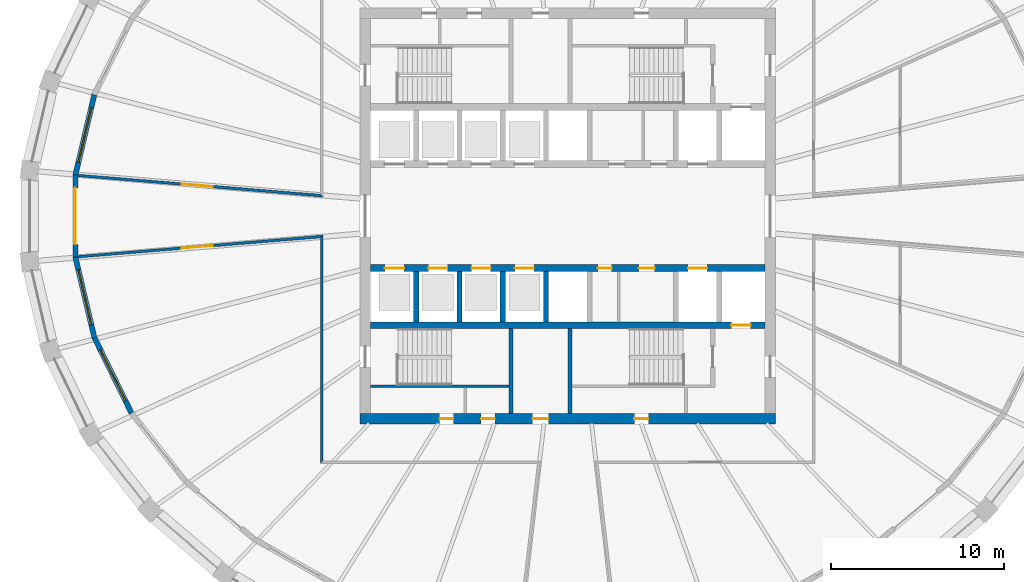
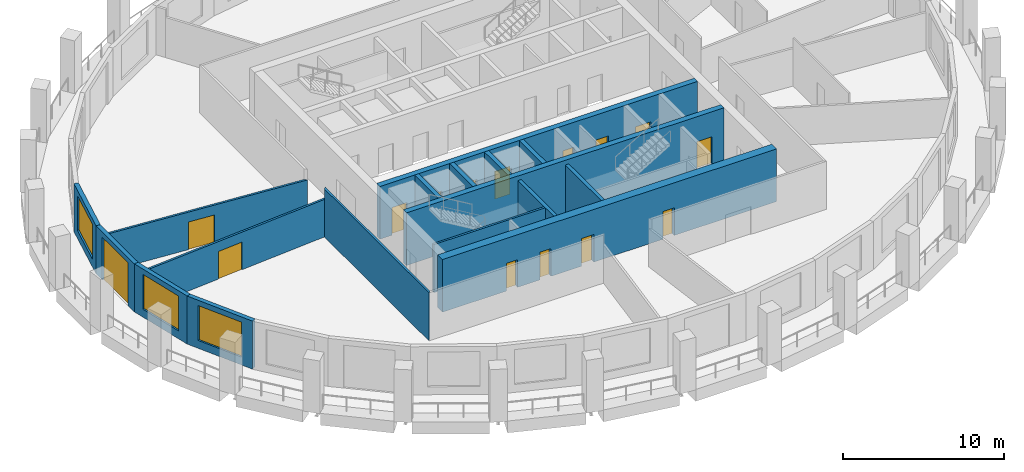
# One storey, part 3 of 10: 17 walls, 15 doors, 3 windows, 18 openings.
"""IFC4 building model written with IfcOpenShell, lengths in metres."""

from ifc_helpers import new_model, si_unit, direction, frame, frame_2d, origin, place, context, subcontext, project, spatial, polyline, rectangle, outline, extrude, material, layer, layer_set, type_object, element, fill, save


model = new_model("IFC4")

# Units and contexts
model_context = context("Model", 3, precision=1e-05, world=origin(), true_north=direction((0.0, 1.0)))
body_context = subcontext(model_context, "Body", "Model", "MODEL_VIEW")
ifc_project = project(units=[si_unit("LENGTHUNIT", "METRE"), si_unit("AREAUNIT", "SQUARE_METRE"), si_unit("VOLUMEUNIT", "CUBIC_METRE"), si_unit("PLANEANGLEUNIT", "RADIAN"), si_unit("MASSUNIT", "GRAM", prefix="KILO")], contexts=[model_context])

# Site, building, storey
site_placement = place(None, origin())
site = spatial("IfcSite", under=ifc_project, at=site_placement, CompositionType="ELEMENT")
building_placement = place(site_placement, origin())
building = spatial("IfcBuilding", under=site, at=building_placement, Name="Halqa Exchange Tower", CompositionType="ELEMENT")
storey_placement = place(building_placement, frame((0.0, 0.0, 246.89990234375)))
storey = spatial("IfcBuildingStorey", under=building, at=storey_placement, Name="L57", CompositionType="ELEMENT", Elevation=246.89990234375)

# Wall, opening, door
ifc_material_1 = material(Name="Fire-rated gypsum board")
ifc_layer_1 = layer(ifc_material_1, 0.14990234375)
ifc_layer_set_1 = layer_set([ifc_layer_1], Name="Fire-rated gypsum board")
wall_type_1 = type_object("IfcWallType", Name="Fire partition EI 60 150", PredefinedType="PARTITIONING", material=ifc_layer_set_1)
wall_1_placement = place(storey_placement, frame((-28.26708984375, 2.344970703125, 0.0), z_axis=(0.0, 0.0, 1.0), x_axis=(0.996588676362, -0.082528844332, 0.0)))
wall_1 = element("IfcWall", 1, at=wall_1_placement, inside=storey, type_object=wall_type_1, Name="L57-PWL-001", PredefinedType="PARTITIONING", context=body_context, shape_type="SweptSolid", body=[
    extrude(outline(polyline([(14.196533203125, -0.074951171875), (14.196533203125, -0.074951171875), (14.115234375, 0.0), (14.03369140625, 0.074951171875), (12.280029296875, 0.074951171875), (10.5263671875, 0.074951171875), (8.772705078125, 0.074951171875), (7.01904296875, 0.074951171875), (5.26513671875, 0.074951171875), (3.511474609375, 0.074951171875), (1.7578125, 0.074951171875), (0.004150390625, 0.074951171875), (0.0, 0.047607421875), (0.0, -0.074951171875), (1.774658203125, -0.074951171875), (3.549072265625, -0.074951171875), (5.32373046875, -0.074951171875), (7.09814453125, -0.074951171875), (8.872802734375, -0.074951171875), (10.6474609375, -0.074951171875), (12.421875, -0.074951171875), (14.196533203125, -0.074951171875)])), origin(), (0.0, 0.0, 1.0), 2.85009765625),
])
opening_1_placement = place(wall_1_placement, frame((6.005859375, 0.0, 0.0)))
opening_1 = element("IfcOpeningElement", 2, at=opening_1_placement, cuts=wall_1, Name="Opening 17-07", PredefinedType="OPENING", context=body_context, shape_type="SweptSolid", body=[
    extrude(rectangle(XDim=1.800048828125, YDim=2.10009765625, at=frame_2d((0.89990234375, 1.050048828125))), frame((0.0, 0.0869140625, 0.0), z_axis=(0.0, -1.0, 0.0), x_axis=(1.0, 0.0, 0.0)), (0.0, 0.0, 1.0), 0.173828125),
])
ifc_material_2 = material(Name="Steel fire door leaf", Category="steel")
door_type_1 = type_object("IfcDoorType", Name="Fire door FD30S double 1800 x 2100", OperationType="DOUBLE_DOOR_SINGLE_SWING", PredefinedType="DOOR", material=ifc_material_2)
door_1_placement = place(opening_1_placement, origin())
door_1 = element("IfcDoor", 3, at=door_1_placement, inside=storey, type_object=door_type_1, Name="L57-IDR-007", OperationType="DOUBLE_DOOR_SINGLE_SWING", OverallHeight=2.10009765625, OverallWidth=1.800048828125, PredefinedType="DOOR", context=body_context, shape_type="SweptSolid", body=[
    extrude(rectangle(XDim=1.800048828125, YDim=2.10009765625, at=frame_2d((0.89990234375, 1.050048828125))), frame((0.0, 0.02490234375, 0.0), z_axis=(0.0, -1.0, 0.0), x_axis=(1.0, 0.0, 0.0)), (0.0, 0.0, 1.0), 0.050048828125),
])
fill(opening_1, door_1)

# Wall
wall_2_placement = place(storey_placement, frame((-14.199951171875, -14.27490234375, 0.0), z_axis=(0.0, 0.0, 1.0), x_axis=(0.0, 1.0, 0.0)))
element("IfcWall", 4, at=wall_2_placement, inside=storey, type_object=wall_type_1, Name="L57-PWL-002", PredefinedType="PARTITIONING", context=body_context, shape_type="SweptSolid", body=[
    extrude(outline(polyline([(0.14990234375, -0.074951171875), (2.0107421875, -0.074951171875), (3.871826171875, -0.074951171875), (5.732666015625, -0.074951171875), (7.593505859375, -0.074951171875), (9.45458984375, -0.074951171875), (11.3154296875, -0.074951171875), (13.17626953125, -0.074951171875), (13.013427734375, 0.074951171875), (11.154541015625, 0.074951171875), (9.29541015625, 0.074951171875), (7.436279296875, 0.074951171875), (5.5771484375, 0.074951171875), (3.71826171875, 0.074951171875), (1.859130859375, 0.074951171875), (0.0, 0.074951171875), (0.14990234375, -0.074951171875)])), origin(), (0.0, 0.0, 1.0), 3.650146484375),
])

# Wall, opening, door
wall_3_placement = place(storey_placement, frame((-14.118896484375, -1.17333984375, 0.0), z_axis=(0.0, 0.0, 1.0), x_axis=(-0.996588676362, -0.082528844332, 0.0)))
wall_3 = element("IfcWall", 5, at=wall_3_placement, inside=storey, type_object=wall_type_1, Name="L57-PWL-003", PredefinedType="PARTITIONING", context=body_context, shape_type="SweptSolid", body=[
    extrude(outline(polyline([(14.196533203125, -0.074951171875), (14.196533203125, 0.048095703125), (14.192626953125, 0.074951171875), (12.438720703125, 0.074951171875), (10.68505859375, 0.074951171875), (8.931396484375, 0.074951171875), (7.177734375, 0.074951171875), (5.424072265625, 0.074951171875), (3.670166015625, 0.074951171875), (1.91650390625, 0.074951171875), (0.162841796875, 0.074951171875), (0.081298828125, 0.0), (0.0, -0.074951171875), (1.774658203125, -0.074951171875), (3.549072265625, -0.074951171875), (5.32373046875, -0.074951171875), (7.098388671875, -0.074951171875), (8.872802734375, -0.074951171875), (10.6474609375, -0.074951171875), (12.421875, -0.074951171875), (14.196533203125, -0.074951171875)])), origin(), (0.0, 0.0, 1.0), 2.85009765625),
])
opening_2_placement = place(wall_3_placement, frame((6.39111328125, 0.0, 0.0)))
opening_2 = element("IfcOpeningElement", 6, at=opening_2_placement, cuts=wall_3, Name="Opening 17-01", PredefinedType="OPENING", context=body_context, shape_type="SweptSolid", body=[
    extrude(rectangle(XDim=1.800048828125, YDim=2.10009765625, at=frame_2d((0.89990234375, 1.050048828125))), frame((0.0, 0.0869140625, 0.0), z_axis=(0.0, -1.0, 0.0), x_axis=(1.0, 0.0, 0.0)), (0.0, 0.0, 1.0), 0.173828125),
])
door_2_placement = place(opening_2_placement, origin())
door_2 = element("IfcDoor", 7, at=door_2_placement, inside=storey, type_object=door_type_1, Name="L57-IDR-001", OperationType="DOUBLE_DOOR_SINGLE_SWING", OverallHeight=2.10009765625, OverallWidth=1.800048828125, PredefinedType="DOOR", context=body_context, shape_type="SweptSolid", body=[
    extrude(rectangle(XDim=1.800048828125, YDim=2.10009765625, at=frame_2d((0.89990234375, 1.050048828125))), frame((0.0, 0.02490234375, 0.0), z_axis=(0.0, -1.0, 0.0), x_axis=(1.0, 0.0, 0.0)), (0.0, 0.0, 1.0), 0.050048828125),
])
fill(opening_2, door_2)

# Walls
ifc_material_3 = material(Name="Concrete C60/75", Category="concrete")
ifc_layer_2 = layer(ifc_material_3, 0.300048828125)
ifc_layer_set_2 = layer_set([ifc_layer_2], Name="Concrete C60/75")
wall_type_2 = type_object("IfcWallType", Name="RC core wall 300", PredefinedType="SHEAR", material=ifc_layer_set_2)
for number, where, z_axis, x_axis, name in (
    (8, (-8.75, -6.10009765625, 0.0), (0.0, 0.0, 1.0), (0.0, 1.0, 0.0), "Shaft divider S1"),
    (9, (-6.25, -6.10009765625, 0.0), (0.0, 0.0, 1.0), (0.0, 1.0, 0.0), "Shaft divider S2"),
    (10, (-3.75, -6.10009765625, 0.0), (0.0, 0.0, 1.0), (0.0, 1.0, 0.0), "Shaft divider S3"),
    (11, (-1.25, -6.10009765625, 0.0), (0.0, 0.0, 1.0), (0.0, 1.0, 0.0), "Shaft divider S4"),
):
    element("IfcWall", number, at=place(storey_placement, frame(where, z_axis=z_axis, x_axis=x_axis)), inside=storey, type_object=wall_type_2, Name=name, PredefinedType="SHEAR", context=body_context, shape_type="SweptSolid", body=[
        extrude(rectangle(XDim=2.900146484375, YDim=0.300048828125, at=frame_2d((1.4501953125, 0.0))), origin(), (0.0, 0.0, 1.0), 4.0),
    ])

# Wall, openings, doors
ifc_material_4 = material(Name="Concrete C70/85", Category="concrete")
ifc_layer_3 = layer(ifc_material_4, 0.39990234375)
ifc_layer_set_3 = layer_set([ifc_layer_3], Name="Concrete C70/85")
wall_type_3 = type_object("IfcWallType", Name="RC core wall 400 C70/85", PredefinedType="SHEAR", material=ifc_layer_set_3)
wall_4_placement = place(storey_placement, frame((-11.39990234375, -3.0, 0.0), z_axis=(0.0, 0.0, 1.0), x_axis=(1.0, 0.0, 0.0)))
wall_4 = element("IfcWall", 12, at=wall_4_placement, inside=storey, type_object=wall_type_3, Name="Lift row front wall S", PredefinedType="SHEAR", context=body_context, shape_type="SweptSolid", body=[
    extrude(rectangle(XDim=22.7998046875, YDim=0.39990234375, at=frame_2d((11.39990234375, 0.0))), origin(), (0.0, 0.0, 1.0), 4.0),
])
opening_3_placement = place(wall_4_placement, frame((0.85009765625, 0.0, 0.0)))
opening_3 = element("IfcOpeningElement", 13, at=opening_3_placement, cuts=wall_4, Name="Opening LD-HR3-T17", PredefinedType="OPENING", context=body_context, shape_type="SweptSolid", body=[
    extrude(rectangle(XDim=1.10009765625, YDim=2.10009765625, at=frame_2d((0.550048828125, 1.050048828125))), frame((0.0, 0.2119140625, 0.0), z_axis=(0.0, -1.0, 0.0), x_axis=(1.0, 0.0, 0.0)), (0.0, 0.0, 1.0), 0.423828125),
])
opening_4_placement = place(wall_4_placement, frame((3.35009765625, 0.0, 0.0)))
opening_4 = element("IfcOpeningElement", 14, at=opening_4_placement, cuts=wall_4, Name="Opening LD-HR4-T17", PredefinedType="OPENING", context=body_context, shape_type="SweptSolid", body=[
    extrude(rectangle(XDim=1.10009765625, YDim=2.10009765625, at=frame_2d((0.550048828125, 1.050048828125))), frame((0.0, 0.2119140625, 0.0), z_axis=(0.0, -1.0, 0.0), x_axis=(1.0, 0.0, 0.0)), (0.0, 0.0, 1.0), 0.423828125),
])
opening_5_placement = place(wall_4_placement, frame((5.85009765625, 0.0, 0.0)))
opening_5 = element("IfcOpeningElement", 15, at=opening_5_placement, cuts=wall_4, Name="Opening LD-MR3-T17", PredefinedType="OPENING", context=body_context, shape_type="SweptSolid", body=[
    extrude(rectangle(XDim=1.10009765625, YDim=2.10009765625, at=frame_2d((0.550048828125, 1.050048828125))), frame((0.0, 0.2119140625, 0.0), z_axis=(0.0, -1.0, 0.0), x_axis=(1.0, 0.0, 0.0)), (0.0, 0.0, 1.0), 0.423828125),
])
opening_6_placement = place(wall_4_placement, frame((8.35009765625, 0.0, 0.0)))
opening_6 = element("IfcOpeningElement", 16, at=opening_6_placement, cuts=wall_4, Name="Opening LD-MR4-T17", PredefinedType="OPENING", context=body_context, shape_type="SweptSolid", body=[
    extrude(rectangle(XDim=1.10009765625, YDim=2.10009765625, at=frame_2d((0.550048828125, 1.050048828125))), frame((0.0, 0.2119140625, 0.0), z_axis=(0.0, -1.0, 0.0), x_axis=(1.0, 0.0, 0.0)), (0.0, 0.0, 1.0), 0.423828125),
])
opening_7_placement = place(wall_4_placement, frame((18.35009765625, 0.0, 0.0)))
opening_7 = element("IfcOpeningElement", 17, at=opening_7_placement, cuts=wall_4, Name="Opening LD-SV2-T17", PredefinedType="OPENING", context=body_context, shape_type="SweptSolid", body=[
    extrude(rectangle(XDim=1.10009765625, YDim=2.10009765625, at=frame_2d((0.550048828125, 1.050048828125))), frame((0.0, 0.2119140625, 0.0), z_axis=(0.0, -1.0, 0.0), x_axis=(1.0, 0.0, 0.0)), (0.0, 0.0, 1.0), 0.423828125),
])
opening_8_placement = place(wall_4_placement, frame((13.137451171875, 0.0, 0.0)))
opening_8 = element("IfcOpeningElement", 18, at=opening_8_placement, cuts=wall_4, Name="Opening T17-C31", PredefinedType="OPENING", context=body_context, shape_type="SweptSolid", body=[
    extrude(rectangle(XDim=0.800048828125, YDim=2.10009765625, at=frame_2d((0.39990234375, 1.050048828125))), frame((0.0, 0.2119140625, 0.0), z_axis=(0.0, -1.0, 0.0), x_axis=(1.0, 0.0, 0.0)), (0.0, 0.0, 1.0), 0.423828125),
])
opening_9_placement = place(wall_4_placement, frame((15.512451171875, 0.0, 0.0)))
opening_9 = element("IfcOpeningElement", 19, at=opening_9_placement, cuts=wall_4, Name="Opening T17-C32", PredefinedType="OPENING", context=body_context, shape_type="SweptSolid", body=[
    extrude(rectangle(XDim=0.89990234375, YDim=2.10009765625, at=frame_2d((0.449951171875, 1.050048828125))), frame((0.0, 0.2119140625, 0.0), z_axis=(0.0, -1.0, 0.0), x_axis=(1.0, 0.0, 0.0)), (0.0, 0.0, 1.0), 0.423828125),
])
ifc_material_5 = material(Name="Timber fire door leaf", Category="wood")
door_type_2 = type_object("IfcDoorType", Name="Core room door FD30 900 x 2100", OperationType="SINGLE_SWING_LEFT", PredefinedType="DOOR", material=ifc_material_5)
door_3_placement = place(opening_9_placement, frame((0.89990234375, 0.0, 0.0), z_axis=(0.0, 0.0, 1.0), x_axis=(-1.0, 0.0, 0.0)))
door_3 = element("IfcDoor", 20, at=door_3_placement, inside=storey, type_object=door_type_2, Name="Core room door", OperationType="SINGLE_SWING_LEFT", OverallHeight=2.10009765625, OverallWidth=0.89990234375, PredefinedType="DOOR", context=body_context, shape_type="SweptSolid", body=[
    extrude(rectangle(XDim=0.89990234375, YDim=2.10009765625, at=frame_2d((0.449951171875, 1.050048828125))), frame((0.0, 0.02490234375, 0.0), z_axis=(0.0, -1.0, 0.0), x_axis=(1.0, 0.0, 0.0)), (0.0, 0.0, 1.0), 0.050048828125),
])
fill(opening_9, door_3)
ifc_material_6 = material(Name="Stainless steel", Category="steel")
door_type_3 = type_object("IfcDoorType", Name="Lift landing door 1100 x 2100", OperationType="SLIDING_TO_LEFT", PredefinedType="DOOR", material=ifc_material_6)
door_4_placement = place(opening_3_placement, origin())
door_4 = element("IfcDoor", 21, at=door_4_placement, inside=storey, type_object=door_type_3, Name="Lift landing door HR3", OperationType="SLIDING_TO_LEFT", OverallHeight=2.10009765625, OverallWidth=1.10009765625, PredefinedType="DOOR", context=body_context, shape_type="SweptSolid", body=[
    extrude(rectangle(XDim=1.10009765625, YDim=2.10009765625, at=frame_2d((0.550048828125, 1.050048828125))), frame((0.0, 0.02490234375, 0.0), z_axis=(0.0, -1.0, 0.0), x_axis=(1.0, 0.0, 0.0)), (0.0, 0.0, 1.0), 0.050048828125),
])
fill(opening_3, door_4)
door_5_placement = place(opening_4_placement, origin())
door_5 = element("IfcDoor", 22, at=door_5_placement, inside=storey, type_object=door_type_3, Name="Lift landing door HR4", OperationType="SLIDING_TO_LEFT", OverallHeight=2.10009765625, OverallWidth=1.10009765625, PredefinedType="DOOR", context=body_context, shape_type="SweptSolid", body=[
    extrude(rectangle(XDim=1.10009765625, YDim=2.10009765625, at=frame_2d((0.550048828125, 1.050048828125))), frame((0.0, 0.02490234375, 0.0), z_axis=(0.0, -1.0, 0.0), x_axis=(1.0, 0.0, 0.0)), (0.0, 0.0, 1.0), 0.050048828125),
])
fill(opening_4, door_5)
door_6_placement = place(opening_5_placement, origin())
door_6 = element("IfcDoor", 23, at=door_6_placement, inside=storey, type_object=door_type_3, Name="Lift landing door MR3", OperationType="SLIDING_TO_LEFT", OverallHeight=2.10009765625, OverallWidth=1.10009765625, PredefinedType="DOOR", context=body_context, shape_type="SweptSolid", body=[
    extrude(rectangle(XDim=1.10009765625, YDim=2.10009765625, at=frame_2d((0.550048828125, 1.050048828125))), frame((0.0, 0.02490234375, 0.0), z_axis=(0.0, -1.0, 0.0), x_axis=(1.0, 0.0, 0.0)), (0.0, 0.0, 1.0), 0.050048828125),
])
fill(opening_5, door_6)
door_7_placement = place(opening_6_placement, origin())
door_7 = element("IfcDoor", 24, at=door_7_placement, inside=storey, type_object=door_type_3, Name="Lift landing door MR4", OperationType="SLIDING_TO_LEFT", OverallHeight=2.10009765625, OverallWidth=1.10009765625, PredefinedType="DOOR", context=body_context, shape_type="SweptSolid", body=[
    extrude(rectangle(XDim=1.10009765625, YDim=2.10009765625, at=frame_2d((0.550048828125, 1.050048828125))), frame((0.0, 0.02490234375, 0.0), z_axis=(0.0, -1.0, 0.0), x_axis=(1.0, 0.0, 0.0)), (0.0, 0.0, 1.0), 0.050048828125),
])
fill(opening_6, door_7)
door_8_placement = place(opening_7_placement, origin())
door_8 = element("IfcDoor", 25, at=door_8_placement, inside=storey, type_object=door_type_3, Name="Lift landing door SV2", OperationType="SLIDING_TO_LEFT", OverallHeight=2.10009765625, OverallWidth=1.10009765625, PredefinedType="DOOR", context=body_context, shape_type="SweptSolid", body=[
    extrude(rectangle(XDim=1.10009765625, YDim=2.10009765625, at=frame_2d((0.550048828125, 1.050048828125))), frame((0.0, 0.02490234375, 0.0), z_axis=(0.0, -1.0, 0.0), x_axis=(1.0, 0.0, 0.0)), (0.0, 0.0, 1.0), 0.050048828125),
])
fill(opening_7, door_8)
door_type_4 = type_object("IfcDoorType", Name="Riser door FD60 800 x 2100", OperationType="SINGLE_SWING_LEFT", PredefinedType="DOOR", material=ifc_material_2)
door_9_placement = place(opening_8_placement, frame((0.800048828125, 0.0, 0.0), z_axis=(0.0, 0.0, 1.0), x_axis=(-1.0, 0.0, 0.0)))
door_9 = element("IfcDoor", 26, at=door_9_placement, inside=storey, type_object=door_type_4, Name="Core room door", OperationType="SINGLE_SWING_LEFT", OverallHeight=2.10009765625, OverallWidth=0.800048828125, PredefinedType="DOOR", context=body_context, shape_type="SweptSolid", body=[
    extrude(rectangle(XDim=0.800048828125, YDim=2.10009765625, at=frame_2d((0.39990234375, 1.050048828125))), frame((0.0, 0.02490234375, 0.0), z_axis=(0.0, -1.0, 0.0), x_axis=(1.0, 0.0, 0.0)), (0.0, 0.0, 1.0), 0.050048828125),
])
fill(opening_8, door_9)

# Wall, opening, door
wall_5_placement = place(storey_placement, frame((-11.39990234375, -6.300048828125, 0.0), z_axis=(0.0, 0.0, 1.0), x_axis=(1.0, 0.0, 0.0)))
wall_5 = element("IfcWall", 27, at=wall_5_placement, inside=storey, type_object=wall_type_3, Name="Lift row back wall S", PredefinedType="SHEAR", context=body_context, shape_type="SweptSolid", body=[
    extrude(rectangle(XDim=22.7998046875, YDim=0.39990234375, at=frame_2d((11.39990234375, 0.0))), origin(), (0.0, 0.0, 1.0), 4.0),
])
opening_10_placement = place(wall_5_placement, frame((20.85009765625, 0.0, 0.0)))
opening_10 = element("IfcOpeningElement", 28, at=opening_10_placement, cuts=wall_5, Name="Opening LD-FF2-T17", PredefinedType="OPENING", context=body_context, shape_type="SweptSolid", body=[
    extrude(rectangle(XDim=1.10009765625, YDim=2.10009765625, at=frame_2d((0.550048828125, 1.050048828125))), frame((0.0, 0.2119140625, 0.0), z_axis=(0.0, -1.0, 0.0), x_axis=(1.0, 0.0, 0.0)), (0.0, 0.0, 1.0), 0.423828125),
])
door_10_placement = place(opening_10_placement, origin())
door_10 = element("IfcDoor", 29, at=door_10_placement, inside=storey, type_object=door_type_3, Name="Lift landing door FF2", OperationType="SLIDING_TO_LEFT", OverallHeight=2.10009765625, OverallWidth=1.10009765625, PredefinedType="DOOR", context=body_context, shape_type="SweptSolid", body=[
    extrude(rectangle(XDim=1.10009765625, YDim=2.10009765625, at=frame_2d((0.550048828125, 1.050048828125))), frame((0.0, 0.02490234375, 0.0), z_axis=(0.0, -1.0, 0.0), x_axis=(1.0, 0.0, 0.0)), (0.0, 0.0, 1.0), 0.050048828125),
])
fill(opening_10, door_10)

# Wall, openings, doors
ifc_layer_4 = layer(ifc_material_4, 0.60009765625)
ifc_layer_set_4 = layer_set([ifc_layer_4], Name="Concrete C70/85")
wall_type_4 = type_object("IfcWallType", Name="RC core wall 600 C70/85", PredefinedType="SHEAR", material=ifc_layer_set_4)
wall_6_placement = place(storey_placement, frame((-12.0, -11.699951171875, 0.0), z_axis=(0.0, 0.0, 1.0), x_axis=(1.0, 0.0, 0.0)))
wall_6 = element("IfcWall", 30, at=wall_6_placement, inside=storey, type_object=wall_type_4, Name="Core wall south", PredefinedType="SHEAR", context=body_context, shape_type="SweptSolid", body=[
    extrude(rectangle(XDim=24.0, YDim=0.60009765625, at=frame_2d((12.0, 0.0))), origin(), (0.0, 0.0, 1.0), 4.0),
])
opening_11_placement = place(wall_6_placement, frame((9.97509765625, 0.0, 0.0)))
opening_11 = element("IfcOpeningElement", 31, at=opening_11_placement, cuts=wall_6, Name="Opening T17-C25", PredefinedType="OPENING", context=body_context, shape_type="SweptSolid", body=[
    extrude(rectangle(XDim=0.89990234375, YDim=2.10009765625, at=frame_2d((0.449951171875, 1.050048828125))), frame((0.0, 0.31201171875, 0.0), z_axis=(0.0, -1.0, 0.0), x_axis=(1.0, 0.0, 0.0)), (0.0, 0.0, 1.0), 0.6240234375),
])
opening_12_placement = place(wall_6_placement, frame((4.60009765625, 0.0, 0.0)))
opening_12 = element("IfcOpeningElement", 32, at=opening_12_placement, cuts=wall_6, Name="Opening T17-C26", PredefinedType="OPENING", context=body_context, shape_type="SweptSolid", body=[
    extrude(rectangle(XDim=0.800048828125, YDim=2.10009765625, at=frame_2d((0.39990234375, 1.050048828125))), frame((0.0, 0.31201171875, 0.0), z_axis=(0.0, -1.0, 0.0), x_axis=(1.0, 0.0, 0.0)), (0.0, 0.0, 1.0), 0.6240234375),
])
opening_13_placement = place(wall_6_placement, frame((7.0, 0.0, 0.0)))
opening_13 = element("IfcOpeningElement", 33, at=opening_13_placement, cuts=wall_6, Name="Opening T17-C27", PredefinedType="OPENING", context=body_context, shape_type="SweptSolid", body=[
    extrude(rectangle(XDim=0.800048828125, YDim=2.10009765625, at=frame_2d((0.39990234375, 1.050048828125))), frame((0.0, 0.31201171875, 0.0), z_axis=(0.0, -1.0, 0.0), x_axis=(1.0, 0.0, 0.0)), (0.0, 0.0, 1.0), 0.6240234375),
])
opening_14_placement = place(wall_6_placement, frame((15.85009765625, 0.0, 0.0)))
opening_14 = element("IfcOpeningElement", 34, at=opening_14_placement, cuts=wall_6, Name="Opening T17-C28", PredefinedType="OPENING", context=body_context, shape_type="SweptSolid", body=[
    extrude(rectangle(XDim=0.800048828125, YDim=2.10009765625, at=frame_2d((0.39990234375, 1.050048828125))), frame((0.0, 0.31201171875, 0.0), z_axis=(0.0, -1.0, 0.0), x_axis=(1.0, 0.0, 0.0)), (0.0, 0.0, 1.0), 0.6240234375),
])
door_11_placement = place(opening_11_placement, origin())
door_11 = element("IfcDoor", 35, at=door_11_placement, inside=storey, type_object=door_type_2, Name="Core room door", OperationType="SINGLE_SWING_RIGHT", OverallHeight=2.10009765625, OverallWidth=0.89990234375, PredefinedType="DOOR", context=body_context, shape_type="SweptSolid", body=[
    extrude(rectangle(XDim=0.89990234375, YDim=2.10009765625, at=frame_2d((0.449951171875, 1.050048828125))), frame((0.0, 0.02490234375, 0.0), z_axis=(0.0, -1.0, 0.0), x_axis=(1.0, 0.0, 0.0)), (0.0, 0.0, 1.0), 0.050048828125),
])
fill(opening_11, door_11)
door_12_placement = place(opening_12_placement, origin())
door_12 = element("IfcDoor", 36, at=door_12_placement, inside=storey, type_object=door_type_4, Name="Core room door", OperationType="SINGLE_SWING_LEFT", OverallHeight=2.10009765625, OverallWidth=0.800048828125, PredefinedType="DOOR", context=body_context, shape_type="SweptSolid", body=[
    extrude(rectangle(XDim=0.800048828125, YDim=2.10009765625, at=frame_2d((0.39990234375, 1.050048828125))), frame((0.0, 0.02490234375, 0.0), z_axis=(0.0, -1.0, 0.0), x_axis=(1.0, 0.0, 0.0)), (0.0, 0.0, 1.0), 0.050048828125),
])
fill(opening_12, door_12)
door_13_placement = place(opening_13_placement, origin())
door_13 = element("IfcDoor", 37, at=door_13_placement, inside=storey, type_object=door_type_4, Name="Core room door", OperationType="SINGLE_SWING_RIGHT", OverallHeight=2.10009765625, OverallWidth=0.800048828125, PredefinedType="DOOR", context=body_context, shape_type="SweptSolid", body=[
    extrude(rectangle(XDim=0.800048828125, YDim=2.10009765625, at=frame_2d((0.39990234375, 1.050048828125))), frame((0.0, 0.02490234375, 0.0), z_axis=(0.0, -1.0, 0.0), x_axis=(1.0, 0.0, 0.0)), (0.0, 0.0, 1.0), 0.050048828125),
])
fill(opening_13, door_13)
door_14_placement = place(opening_14_placement, origin())
door_14 = element("IfcDoor", 38, at=door_14_placement, inside=storey, type_object=door_type_4, Name="Core room door", OperationType="SINGLE_SWING_LEFT", OverallHeight=2.10009765625, OverallWidth=0.800048828125, PredefinedType="DOOR", context=body_context, shape_type="SweptSolid", body=[
    extrude(rectangle(XDim=0.800048828125, YDim=2.10009765625, at=frame_2d((0.39990234375, 1.050048828125))), frame((0.0, 0.02490234375, 0.0), z_axis=(0.0, -1.0, 0.0), x_axis=(1.0, 0.0, 0.0)), (0.0, 0.0, 1.0), 0.050048828125),
])
fill(opening_14, door_14)

# Walls
ifc_material_7 = material(Name="Concrete C30/37", Category="concrete")
ifc_layer_5 = layer(ifc_material_7, 0.14990234375)
ifc_layer_set_5 = layer_set([ifc_layer_5], Name="Concrete C30/37")
wall_type_5 = type_object("IfcWallType", Name="RC stair wall 150 C30/37", PredefinedType="SHEAR", material=ifc_layer_set_5)
wall_7_placement = place(storey_placement, frame((-11.39990234375, -9.824951171875, 0.0), z_axis=(0.0, 0.0, 1.0), x_axis=(1.0, 0.0, 0.0)))
element("IfcWall", 39, at=wall_7_placement, inside=storey, type_object=wall_type_5, Name="Stair ST1 north wall S", PredefinedType="SHEAR", context=body_context, shape_type="SweptSolid", body=[
    extrude(rectangle(XDim=8.0, YDim=0.14990234375, at=frame_2d((4.0, 0.0))), origin(), (0.0, 0.0, 1.0), 3.650146484375),
])
ifc_layer_6 = layer(ifc_material_7, 0.25)
ifc_layer_set_6 = layer_set([ifc_layer_6], Name="Concrete C30/37")
wall_type_6 = type_object("IfcWallType", Name="RC stair wall 250 C30/37", PredefinedType="SHEAR", material=ifc_layer_set_6)
for number, where, z_axis, x_axis, name in (
    (40, (-3.27490234375, -11.39990234375, 0.0), (0.0, 0.0, 1.0), (0.0, 1.0, 0.0), "Stair ST1 east wall S"),
    (41, (0.125, -11.39990234375, 0.0), (0.0, 0.0, 1.0), (0.0, 1.0, 0.0), "Stair ST2 west wall S"),
):
    element("IfcWall", number, at=place(storey_placement, frame(where, z_axis=z_axis, x_axis=x_axis)), inside=storey, type_object=wall_type_6, Name=name, PredefinedType="SHEAR", context=body_context, shape_type="SweptSolid", body=[
        extrude(rectangle(XDim=4.89990234375, YDim=0.25, at=frame_2d((2.449951171875, 0.0))), origin(), (0.0, 0.0, 1.0), 3.650146484375),
    ])

# Wall, opening, window
ifc_material_8 = material(Name="Limestone cladding", Category="masonry")
ifc_layer_7 = layer(ifc_material_8, 0.0400390625)
ifc_material_9 = material(Name="Ventilated cavity")
ifc_layer_8 = layer(ifc_material_9, 0.030029296875, ventilated=True)
ifc_material_10 = material(Name="Mineral wool insulation")
ifc_layer_9 = layer(ifc_material_10, 0.10009765625)
ifc_layer_10 = layer(ifc_material_7, 0.10009765625)
ifc_material_11 = material(Name="Internal plaster")
ifc_layer_11 = layer(ifc_material_11, 0.030029296875)
ifc_layer_set_7 = layer_set([ifc_layer_7, ifc_layer_8, ifc_layer_9, ifc_layer_10, ifc_layer_11], Name="Stone-faced insulated wall 300")
wall_type_7 = type_object("IfcWallType", Name="Stone-faced insulated wall 300", PredefinedType="STANDARD", material=ifc_layer_set_7)
wall_8_placement = place(storey_placement, frame((-27.329345703125, 7.00390625, 0.0), z_axis=(0.0, 0.0, 1.0), x_axis=(-0.229593205094, -0.973286679337, 0.0)))
wall_8 = element("IfcWall", 42, at=wall_8_placement, inside=storey, type_object=wall_type_7, Name="Glass-line wall 15", PredefinedType="STANDARD", context=body_context, shape_type="SweptSolid", body=[
    extrude(outline(polyline([(-0.016845703125, -0.14990234375), (4.783447265625, -0.14990234375), (4.748291015625, 0.14990234375), (0.016845703125, 0.14990234375), (-0.016845703125, -0.14990234375)])), origin(), (0.0, 0.0, 1.0), 3.650146484375),
])
opening_15_placement = place(wall_8_placement, frame((0.758056640625, 0.0, 0.60009765625)))
opening_15 = element("IfcOpeningElement", 43, at=opening_15_placement, cuts=wall_8, Name="Opening W-F3-15", PredefinedType="OPENING", context=body_context, shape_type="SweptSolid", body=[
    extrude(rectangle(XDim=3.25, YDim=2.64990234375, at=frame_2d((1.625, 1.324951171875))), frame((0.0, 0.162109375, 0.0), z_axis=(0.0, -1.0, 0.0), x_axis=(1.0, 0.0, 0.0)), (0.0, 0.0, 1.0), 0.323974609375),
])
ifc_material_12 = material(Name="Clear low-emissivity glass in aluminium frame", Category="aluminium")
window_type = type_object("IfcWindowType", Name="Fixed clear glazed window 3250 x 2650", PartitioningType="TRIPLE_PANEL_VERTICAL", PredefinedType="WINDOW", material=ifc_material_12)
window_1_placement = place(opening_15_placement, origin())
window_1 = element("IfcWindow", 44, at=window_1_placement, inside=storey, type_object=window_type, Name="Window 3", OverallHeight=2.64990234375, OverallWidth=3.25, PartitioningType="TRIPLE_PANEL_VERTICAL", PredefinedType="WINDOW", context=body_context, shape_type="SweptSolid", body=[
    extrude(rectangle(XDim=3.25, YDim=2.64990234375, at=frame_2d((1.625, 1.324951171875))), frame((0.0, 0.030029296875, 0.0), z_axis=(0.0, -1.0, 0.0), x_axis=(1.0, 0.0, 0.0)), (0.0, 0.0, 1.0), 0.06005859375),
])
fill(opening_15, window_1)

# Wall, opening, door
wall_9_placement = place(storey_placement, frame((-28.423583984375, 2.365234375, 0.0), z_axis=(0.0, 0.0, 1.0), x_axis=(0.0, -1.0, 0.0)))
wall_9 = element("IfcWall", 45, at=wall_9_placement, inside=storey, type_object=wall_type_7, Name="Glass-line wall 16", PredefinedType="STANDARD", context=body_context, shape_type="SweptSolid", body=[
    extrude(outline(polyline([(-0.017578125, -0.14990234375), (4.748046875, -0.14990234375), (4.712890625, 0.14990234375), (0.017578125, 0.14990234375), (-0.017578125, -0.14990234375)])), origin(), (0.0, 0.0, 1.0), 3.650146484375),
])
opening_16_placement = place(wall_9_placement, frame((0.740234375, 0.0, 0.0)))
opening_16 = element("IfcOpeningElement", 46, at=opening_16_placement, cuts=wall_9, Name="Opening LG-F3-04", PredefinedType="OPENING", context=body_context, shape_type="SweptSolid", body=[
    extrude(rectangle(XDim=3.25, YDim=3.25, at=frame_2d((1.625, 1.625))), frame((0.0, 0.162109375, 0.0), z_axis=(0.0, -1.0, 0.0), x_axis=(1.0, 0.0, 0.0)), (0.0, 0.0, 1.0), 0.323974609375),
])
door_type_5 = type_object("IfcDoorType", Name="Glazed sliding loggia door 3250 x 3250", OperationType="DOUBLE_DOOR_SLIDING", PredefinedType="DOOR", material=ifc_material_12)
door_15_placement = place(opening_16_placement, origin())
door_15 = element("IfcDoor", 47, at=door_15_placement, inside=storey, type_object=door_type_5, Name="Loggia door 4", OperationType="DOUBLE_DOOR_SLIDING", OverallHeight=3.25, OverallWidth=3.25, PredefinedType="DOOR", context=body_context, shape_type="SweptSolid", body=[
    extrude(rectangle(XDim=3.25, YDim=3.25, at=frame_2d((1.625, 1.625))), frame((0.0, 0.02490234375, 0.0), z_axis=(0.0, -1.0, 0.0), x_axis=(1.0, 0.0, 0.0)), (0.0, 0.0, 1.0), 0.050048828125),
])
fill(opening_16, door_15)

# Wall, opening, window
wall_10_placement = place(storey_placement, frame((-28.423583984375, -2.365234375, 0.0), z_axis=(0.0, 0.0, 1.0), x_axis=(0.229593205094, -0.973286679337, 0.0)))
wall_10 = element("IfcWall", 48, at=wall_10_placement, inside=storey, type_object=wall_type_7, Name="Glass-line wall 17", PredefinedType="STANDARD", context=body_context, shape_type="SweptSolid", body=[
    extrude(outline(polyline([(-0.017578125, -0.14990234375), (4.78271484375, -0.14990234375), (4.7490234375, 0.14990234375), (0.017578125, 0.14990234375), (-0.017578125, -0.14990234375)])), origin(), (0.0, 0.0, 1.0), 3.650146484375),
])
opening_17_placement = place(wall_10_placement, frame((0.758056640625, 0.0, 0.60009765625)))
opening_17 = element("IfcOpeningElement", 49, at=opening_17_placement, cuts=wall_10, Name="Opening W-F3-17", PredefinedType="OPENING", context=body_context, shape_type="SweptSolid", body=[
    extrude(rectangle(XDim=3.25, YDim=2.64990234375, at=frame_2d((1.625, 1.324951171875))), frame((0.0, 0.162109375, 0.0), z_axis=(0.0, -1.0, 0.0), x_axis=(1.0, 0.0, 0.0)), (0.0, 0.0, 1.0), 0.323974609375),
])
window_2_placement = place(opening_17_placement, origin())
window_2 = element("IfcWindow", 50, at=window_2_placement, inside=storey, type_object=window_type, Name="Window 3", OverallHeight=2.64990234375, OverallWidth=3.25, PartitioningType="TRIPLE_PANEL_VERTICAL", PredefinedType="WINDOW", context=body_context, shape_type="SweptSolid", body=[
    extrude(rectangle(XDim=3.25, YDim=2.64990234375, at=frame_2d((1.625, 1.324951171875))), frame((0.0, 0.030029296875, 0.0), z_axis=(0.0, -1.0, 0.0), x_axis=(1.0, 0.0, 0.0)), (0.0, 0.0, 1.0), 0.06005859375),
])
fill(opening_17, window_2)

wall_11_placement = place(storey_placement, frame((-27.329345703125, -7.00390625, 0.0), z_axis=(0.0, 0.0, 1.0), x_axis=(0.441001730708, -0.897506252632, 0.0)))
wall_11 = element("IfcWall", 51, at=wall_11_placement, inside=storey, type_object=wall_type_7, Name="Glass-line wall 18", PredefinedType="STANDARD", context=body_context, shape_type="SweptSolid", body=[
    extrude(outline(polyline([(-0.016845703125, -0.14990234375), (4.88232421875, -0.14990234375), (4.85009765625, 0.14990234375), (0.016845703125, 0.14990234375), (-0.016845703125, -0.14990234375)])), origin(), (0.0, 0.0, 1.0), 3.650146484375),
])
opening_18_placement = place(wall_11_placement, frame((0.80810546875, 0.0, 0.60009765625)))
opening_18 = element("IfcOpeningElement", 52, at=opening_18_placement, cuts=wall_11, Name="Opening W-F3-18", PredefinedType="OPENING", context=body_context, shape_type="SweptSolid", body=[
    extrude(rectangle(XDim=3.25, YDim=2.64990234375, at=frame_2d((1.625, 1.324951171875))), frame((0.0, 0.162109375, 0.0), z_axis=(0.0, -1.0, 0.0), x_axis=(1.0, 0.0, 0.0)), (0.0, 0.0, 1.0), 0.323974609375),
])
window_3_placement = place(opening_18_placement, origin())
window_3 = element("IfcWindow", 53, at=window_3_placement, inside=storey, type_object=window_type, Name="Window 3", OverallHeight=2.64990234375, OverallWidth=3.25, PartitioningType="TRIPLE_PANEL_VERTICAL", PredefinedType="WINDOW", context=body_context, shape_type="SweptSolid", body=[
    extrude(rectangle(XDim=3.25, YDim=2.64990234375, at=frame_2d((1.625, 1.324951171875))), frame((0.0, 0.030029296875, 0.0), z_axis=(0.0, -1.0, 0.0), x_axis=(1.0, 0.0, 0.0)), (0.0, 0.0, 1.0), 0.06005859375),
])
fill(opening_18, window_3)

save(model, "model.ifc")
